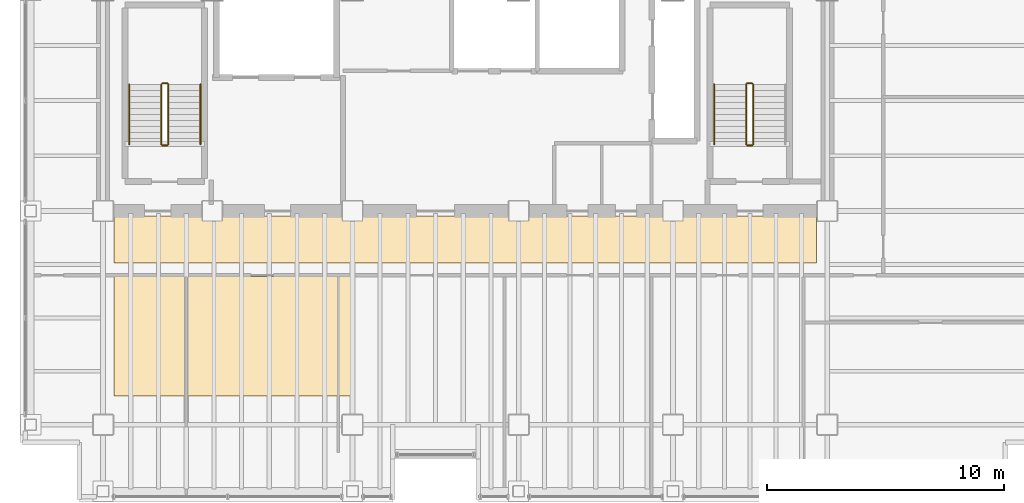
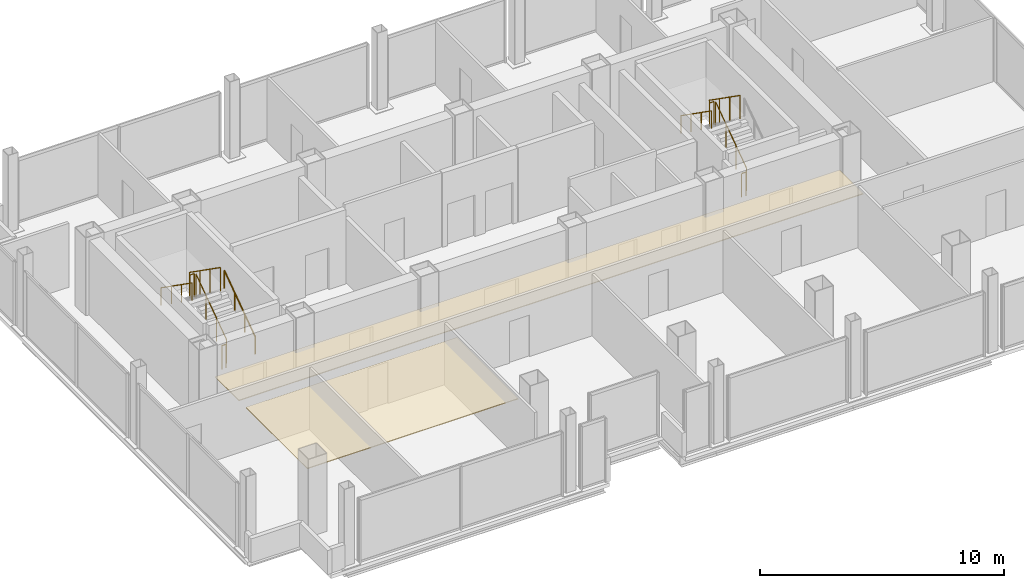
# One storey, part 15 of 16: 11 railings, 2 coverings.
"""IFC4 building model written with IfcOpenShell, lengths in metres."""

from ifc_helpers import new_model, si_unit, direction, frame, origin, origin_2d, place, context, subcontext, project, spatial, polyline, circle, outline, extrude, material, layer, layer_set, type_object, element, save


model = new_model("IFC4")

# Units and contexts
model_context = context("Model", 3, precision=1e-05, world=origin(), true_north=direction((0.0, 1.0)))
body_context = subcontext(model_context, "Body", "Model", "MODEL_VIEW")
ifc_project = project(units=[si_unit("LENGTHUNIT", "METRE"), si_unit("AREAUNIT", "SQUARE_METRE"), si_unit("VOLUMEUNIT", "CUBIC_METRE"), si_unit("PLANEANGLEUNIT", "RADIAN"), si_unit("MASSUNIT", "GRAM", prefix="KILO")], contexts=[model_context])

# Site, building, storey
site_placement = place(None, origin())
site = spatial("IfcSite", under=ifc_project, at=site_placement, CompositionType="ELEMENT")
building_placement = place(site_placement, origin())
building = spatial("IfcBuilding", under=site, at=building_placement, Name="Noeulbin Bourse Tower", CompositionType="ELEMENT")
storey_placement = place(building_placement, frame((0.0, 0.0, 177.300048828125)))
storey = spatial("IfcBuildingStorey", under=building, at=storey_placement, Name="L44", CompositionType="ELEMENT", Elevation=177.300048828125)

# Coverings
ifc_material_1 = material(Name="Perforated Mineral-Fibre Acoustic Tile")
ifc_layer_1 = layer(ifc_material_1, 0.0400390625)
ifc_layer_set_1 = layer_set([ifc_layer_1], Name="Perforated Mineral-Fibre Acoustic Tile")
covering_type = type_object("IfcCoveringType", Name="COV-CEIL-ACT", PredefinedType="CEILING", material=ifc_layer_set_1)
covering_1_placement = place(storey_placement, frame((0.0, 0.0, 2.10986328125)))
element("IfcCovering", 1, at=covering_1_placement, inside=storey, type_object=covering_type, Name="Corridor Suspended Ceiling L44", PredefinedType="CEILING", context=body_context, shape_type="SweptSolid", body=[
    extrude(outline(polyline([(13.949951171875, 26.820068359375), (43.550048828125, 26.820068359375), (43.550048828125, 28.780029296875), (13.949951171875, 28.780029296875), (13.949951171875, 26.820068359375)])), origin(), (0.0, 0.0, 1.0), 0.0400390625),
])
covering_2_placement = place(storey_placement, frame((0.0, 0.0, 2.10986328125)))
element("IfcCovering", 2, at=covering_2_placement, inside=storey, type_object=covering_type, Name="Trading Suite Acoustic Ceiling L44", PredefinedType="CEILING", context=body_context, shape_type="SweptSolid", body=[
    extrude(outline(polyline([(13.949951171875, 21.199951171875), (23.949951171875, 21.199951171875), (23.949951171875, 26.25), (13.949951171875, 26.25), (13.949951171875, 21.199951171875)])), origin(), (0.0, 0.0, 1.0), 0.0400390625),
])

# Railings
ifc_material_2 = material(Name="Painted Tubular Steel S355", Category="steel")
ifc_layer_2 = layer(ifc_material_2, 0.048095703125)
ifc_layer_set_2 = layer_set([ifc_layer_2], Name="Painted Tubular Steel S355")
railing_type_1 = type_object("IfcRailingType", Name="RLG-STR-GRD", PredefinedType="GUARDRAIL", material=ifc_layer_set_2)
railing_1_placement = place(storey_placement, frame((16.25, 31.81005859375, 0.17724609375)))
element("IfcRailing", 3, at=railing_1_placement, inside=storey, type_object=railing_type_1, Name="L44 ST-1 stair guard 1", PredefinedType="GUARDRAIL", context=body_context, shape_type="SweptSolid", body=[
    extrude(circle(Radius=0.02392578125, at=origin_2d()), frame((0.0, 0.0, 1.17578125), z_axis=(0.0, 0.817904474719, 0.575354039036), x_axis=(-1.0, 0.0, 0.0)), (0.0, 0.0, 1.0), 3.0810546875),
    extrude(circle(Radius=0.02099609375, at=origin_2d()), origin(), (0.0, 0.0, 1.0), 1.15185546875),
    extrude(circle(Radius=0.02099609375, at=origin_2d()), frame((0.0, 0.840087890625, 0.5908203125)), (0.0, 0.0, 1.0), 1.15185546875),
    extrude(circle(Radius=0.02099609375, at=origin_2d()), frame((0.0, 1.679931640625, 1.181884765625)), (0.0, 0.0, 1.0), 1.15185546875),
    extrude(circle(Radius=0.02099609375, at=origin_2d()), frame((0.0, 2.52001953125, 1.772705078125)), (0.0, 0.0, 1.0), 1.15185546875),
])
railing_2_placement = place(storey_placement, frame((16.199951171875, 34.3798828125, 1.949951171875)))
element("IfcRailing", 4, at=railing_2_placement, inside=storey, type_object=railing_type_1, Name="L44 ST-1 stair guard 2", PredefinedType="GUARDRAIL", context=body_context, shape_type="SweptSolid", body=[
    extrude(circle(Radius=0.02392578125, at=origin_2d()), frame((0.0, 0.0, 1.17578125), z_axis=(-1.0, 0.0, 0.0), x_axis=(0.0, -1.0, 0.0)), (0.0, 0.0, 1.0), 0.199951171875),
    extrude(circle(Radius=0.02099609375, at=origin_2d()), origin(), (0.0, 0.0, 1.0), 1.15185546875),
    extrude(circle(Radius=0.02099609375, at=origin_2d()), frame((-0.199951171875, 0.0, 0.0)), (0.0, 0.0, 1.0), 1.15185546875),
])
railing_3_placement = place(storey_placement, frame((15.949951171875, 34.330078125, 2.127197265625)))
element("IfcRailing", 5, at=railing_3_placement, inside=storey, type_object=railing_type_1, Name="L44 ST-1 stair guard 3", PredefinedType="GUARDRAIL", context=body_context, shape_type="SweptSolid", body=[
    extrude(circle(Radius=0.02392578125, at=origin_2d()), frame((0.0, 0.0, 1.17578125), z_axis=(0.0, -0.817904474719, 0.575354039036), x_axis=(1.0, 0.0, 0.0)), (0.0, 0.0, 1.0), 3.0810546875),
    extrude(circle(Radius=0.02099609375, at=origin_2d()), origin(), (0.0, 0.0, 1.0), 1.15185546875),
    extrude(circle(Radius=0.02099609375, at=origin_2d()), frame((0.0, -0.840087890625, 0.5908203125)), (0.0, 0.0, 1.0), 1.15185546875),
    extrude(circle(Radius=0.02099609375, at=origin_2d()), frame((0.0, -1.679931640625, 1.181884765625)), (0.0, 0.0, 1.0), 1.15185546875),
    extrude(circle(Radius=0.02099609375, at=origin_2d()), frame((0.0, -2.52001953125, 1.772705078125)), (0.0, 0.0, 1.0), 1.15185546875),
])
railing_4_placement = place(storey_placement, frame((16.199951171875, 31.760009765625, 0.0)))
element("IfcRailing", 6, at=railing_4_placement, inside=storey, type_object=railing_type_1, Name="L44 ST-1 stair guard 4", PredefinedType="GUARDRAIL", context=body_context, shape_type="SweptSolid", body=[
    extrude(circle(Radius=0.02392578125, at=origin_2d()), frame((0.0, 0.0, 1.17578125), z_axis=(-1.0, 0.0, 0.0), x_axis=(0.0, -1.0, 0.0)), (0.0, 0.0, 1.0), 0.199951171875),
    extrude(circle(Radius=0.02099609375, at=origin_2d()), origin(), (0.0, 0.0, 1.0), 1.15185546875),
    extrude(circle(Radius=0.02099609375, at=origin_2d()), frame((-0.199951171875, 0.0, 0.0)), (0.0, 0.0, 1.0), 1.15185546875),
])
railing_5_placement = place(storey_placement, frame((40.8798828125, 31.81005859375, 0.17724609375)))
element("IfcRailing", 7, at=railing_5_placement, inside=storey, type_object=railing_type_1, Name="L44 ST-2 stair guard 1", PredefinedType="GUARDRAIL", context=body_context, shape_type="SweptSolid", body=[
    extrude(circle(Radius=0.02392578125, at=origin_2d()), frame((0.0, 0.0, 1.17578125), z_axis=(0.0, 0.817904474719, 0.575354039036), x_axis=(-1.0, 0.0, 0.0)), (0.0, 0.0, 1.0), 3.0810546875),
    extrude(circle(Radius=0.02099609375, at=origin_2d()), origin(), (0.0, 0.0, 1.0), 1.15185546875),
    extrude(circle(Radius=0.02099609375, at=origin_2d()), frame((0.0, 0.840087890625, 0.5908203125)), (0.0, 0.0, 1.0), 1.15185546875),
    extrude(circle(Radius=0.02099609375, at=origin_2d()), frame((0.0, 1.679931640625, 1.181884765625)), (0.0, 0.0, 1.0), 1.15185546875),
    extrude(circle(Radius=0.02099609375, at=origin_2d()), frame((0.0, 2.52001953125, 1.772705078125)), (0.0, 0.0, 1.0), 1.15185546875),
])
railing_6_placement = place(storey_placement, frame((40.830078125, 34.3798828125, 1.949951171875)))
element("IfcRailing", 8, at=railing_6_placement, inside=storey, type_object=railing_type_1, Name="L44 ST-2 stair guard 2", PredefinedType="GUARDRAIL", context=body_context, shape_type="SweptSolid", body=[
    extrude(circle(Radius=0.02392578125, at=origin_2d()), frame((0.0, 0.0, 1.17578125), z_axis=(-1.0, 0.0, 0.0), x_axis=(0.0, -1.0, 0.0)), (0.0, 0.0, 1.0), 0.2001953125),
    extrude(circle(Radius=0.02099609375, at=origin_2d()), origin(), (0.0, 0.0, 1.0), 1.15185546875),
    extrude(circle(Radius=0.02099609375, at=origin_2d()), frame((-0.2001953125, 0.0, 0.0)), (0.0, 0.0, 1.0), 1.15185546875),
])
railing_7_placement = place(storey_placement, frame((40.580078125, 34.330078125, 2.127197265625)))
element("IfcRailing", 9, at=railing_7_placement, inside=storey, type_object=railing_type_1, Name="L44 ST-2 stair guard 3", PredefinedType="GUARDRAIL", context=body_context, shape_type="SweptSolid", body=[
    extrude(circle(Radius=0.02392578125, at=origin_2d()), frame((0.0, 0.0, 1.17578125), z_axis=(0.0, -0.817904474719, 0.575354039036), x_axis=(1.0, 0.0, 0.0)), (0.0, 0.0, 1.0), 3.0810546875),
    extrude(circle(Radius=0.02099609375, at=origin_2d()), origin(), (0.0, 0.0, 1.0), 1.15185546875),
    extrude(circle(Radius=0.02099609375, at=origin_2d()), frame((0.0, -0.840087890625, 0.5908203125)), (0.0, 0.0, 1.0), 1.15185546875),
    extrude(circle(Radius=0.02099609375, at=origin_2d()), frame((0.0, -1.679931640625, 1.181884765625)), (0.0, 0.0, 1.0), 1.15185546875),
    extrude(circle(Radius=0.02099609375, at=origin_2d()), frame((0.0, -2.52001953125, 1.772705078125)), (0.0, 0.0, 1.0), 1.15185546875),
])
railing_8_placement = place(storey_placement, frame((40.830078125, 31.760009765625, 0.0)))
element("IfcRailing", 10, at=railing_8_placement, inside=storey, type_object=railing_type_1, Name="L44 ST-2 stair guard 4", PredefinedType="GUARDRAIL", context=body_context, shape_type="SweptSolid", body=[
    extrude(circle(Radius=0.02392578125, at=origin_2d()), frame((0.0, 0.0, 1.17578125), z_axis=(-1.0, 0.0, 0.0), x_axis=(0.0, -1.0, 0.0)), (0.0, 0.0, 1.0), 0.2001953125),
    extrude(circle(Radius=0.02099609375, at=origin_2d()), origin(), (0.0, 0.0, 1.0), 1.15185546875),
    extrude(circle(Radius=0.02099609375, at=origin_2d()), frame((-0.2001953125, 0.0, 0.0)), (0.0, 0.0, 1.0), 1.15185546875),
])
ifc_material_3 = material(Name="Brushed Stainless Steel 316", Category="steel")
ifc_layer_3 = layer(ifc_material_3, 0.048095703125)
ifc_layer_set_3 = layer_set([ifc_layer_3], Name="Brushed Stainless Steel 316")
railing_type_2 = type_object("IfcRailingType", Name="RLG-STR-HND", PredefinedType="HANDRAIL", material=ifc_layer_set_3)
railing_9_placement = place(storey_placement, frame((17.60009765625, 31.81005859375, 0.17724609375)))
element("IfcRailing", 11, at=railing_9_placement, inside=storey, type_object=railing_type_2, Name="L44 ST-1 stair handrail 1", PredefinedType="HANDRAIL", context=body_context, shape_type="SweptSolid", body=[
    extrude(circle(Radius=0.02392578125, at=origin_2d()), frame((0.0, 0.0, 0.8759765625), z_axis=(0.0, 0.817904474719, 0.575354039036), x_axis=(-1.0, 0.0, 0.0)), (0.0, 0.0, 1.0), 3.0810546875),
    extrude(circle(Radius=0.02099609375, at=origin_2d()), origin(), (0.0, 0.0, 1.0), 0.851806640625),
    extrude(circle(Radius=0.02099609375, at=origin_2d()), frame((0.0, 0.840087890625, 0.5908203125)), (0.0, 0.0, 1.0), 0.851806640625),
    extrude(circle(Radius=0.02099609375, at=origin_2d()), frame((0.0, 1.679931640625, 1.181884765625)), (0.0, 0.0, 1.0), 0.851806640625),
    extrude(circle(Radius=0.02099609375, at=origin_2d()), frame((0.0, 2.52001953125, 1.772705078125)), (0.0, 0.0, 1.0), 0.851806640625),
])
for number, where, name in (
    (12, (14.60009765625, 34.330078125, 2.127197265625), "L44 ST-1 stair handrail 2"),
    (13, (39.22998046875, 34.330078125, 2.127197265625), "L44 ST-2 stair handrail 2"),
):
    element("IfcRailing", number, at=place(storey_placement, frame(where)), inside=storey, type_object=railing_type_2, Name=name, PredefinedType="HANDRAIL", context=body_context, shape_type="SweptSolid", body=[
        extrude(circle(Radius=0.02392578125, at=origin_2d()), frame((0.0, 0.0, 0.8759765625), z_axis=(0.0, -0.817904474719, 0.575354039036), x_axis=(1.0, 0.0, 0.0)), (0.0, 0.0, 1.0), 3.0810546875),
        extrude(circle(Radius=0.02099609375, at=origin_2d()), origin(), (0.0, 0.0, 1.0), 0.851806640625),
        extrude(circle(Radius=0.02099609375, at=origin_2d()), frame((0.0, -0.840087890625, 0.5908203125)), (0.0, 0.0, 1.0), 0.851806640625),
        extrude(circle(Radius=0.02099609375, at=origin_2d()), frame((0.0, -1.679931640625, 1.181884765625)), (0.0, 0.0, 1.0), 0.851806640625),
        extrude(circle(Radius=0.02099609375, at=origin_2d()), frame((0.0, -2.52001953125, 1.772705078125)), (0.0, 0.0, 1.0), 0.851806640625),
    ])

save(model, "model.ifc")
